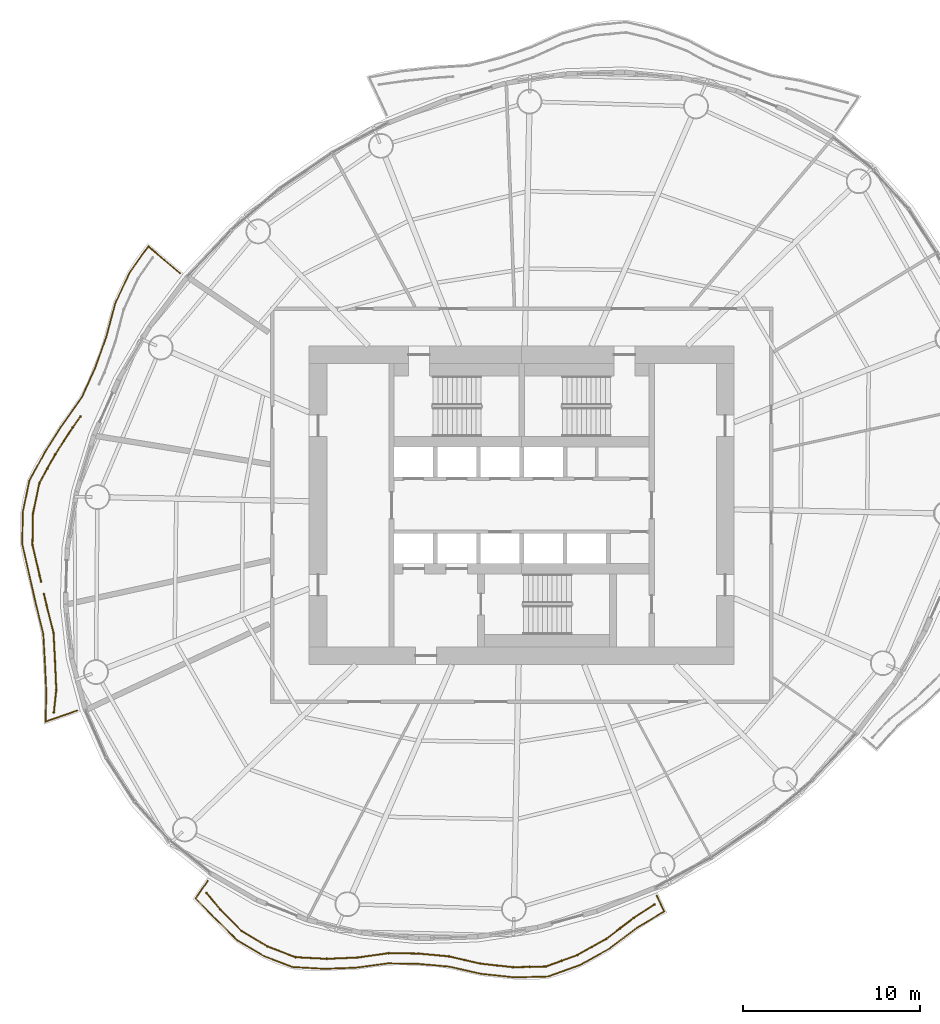
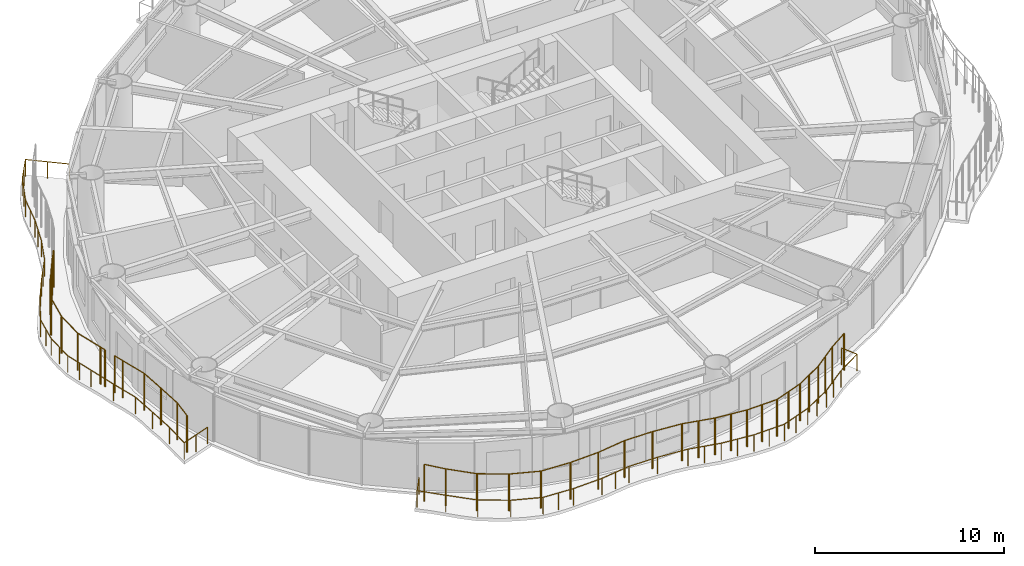
# One storey, part 12 of 15: 5 railings.
"""IFC4 building model written with IfcOpenShell, lengths in metres."""

import ifcopenshell
import ifcopenshell.guid

model = None  # the IFC model being written
_history = None  # IfcOwnerHistory: only IFC2X3 demands one
_inside = {}  # id of a spatial element -> (the spatial element, [elements in it])
_under = {}  # id of a project, library or spatial element -> (it, [spatial elements below it])
_declared = {}  # id of a project -> (the project, [libraries it declares])
_typed = {}  # id of a type object -> (the type object, [elements of that type])
_made_of = {}  # id of a material, layer set ... -> (it, [elements and type objects made of it])


def new_model(schema):
    """Start an empty IFC model of exactly this schema.

    Asked for "IFC4X3", IfcOpenShell would pick the latest addendum, in which some entities
    have other attributes; the version numbers below select the first issue.
    IFC2X3 requires an IfcOwnerHistory on every rooted entity: one is made here for all.
    """
    global model, _history
    if schema == "IFC4X3":
        model = ifcopenshell.file(schema_version=(4, 3, 0, 0))
    else:
        model = ifcopenshell.file(schema=schema)
    _inside.clear()
    _under.clear()
    _declared.clear()
    _typed.clear()
    _made_of.clear()
    _history = None
    if model.schema == "IFC2X3":
        org = make("IfcOrganization", Name="unknown")
        user = make(
            "IfcPersonAndOrganization",
            ThePerson=make("IfcPerson", FamilyName="unknown"),
            TheOrganization=org,
        )
        app = make(
            "IfcApplication",
            ApplicationDeveloper=org,
            Version="unknown",
            ApplicationFullName="unknown",
            ApplicationIdentifier="unknown",
        )
        _history = make(
            "IfcOwnerHistory",
            OwningUser=user,
            OwningApplication=app,
            ChangeAction="ADDED",
            CreationDate=0,
        )
    return model


def make(cls, **values):
    """One entity of the class cls with the attributes given. An attribute that is None is left unset."""
    return model.create_entity(
        cls, **{name: value for name, value in values.items() if value is not None}
    )


def rooted(cls, **values):
    """An entity with a GlobalId (a new one), such as an element, a storey or a relation."""
    return make(cls, GlobalId=ifcopenshell.guid.new(), OwnerHistory=_history, **values)


def si_unit(unit_type, name, prefix=None):
    """IfcSIUnit, for example si_unit("LENGTHUNIT", "METRE", prefix="MILLI")."""
    return make("IfcSIUnit", UnitType=unit_type, Prefix=prefix, Name=name)


def assignment(units):
    """IfcUnitAssignment: the units of a project."""
    return None if units is None else make("IfcUnitAssignment", Units=units)


def point(xyz):
    """IfcCartesianPoint."""
    return None if xyz is None else make("IfcCartesianPoint", Coordinates=xyz)


def direction(xyz):
    """IfcDirection."""
    return None if xyz is None else make("IfcDirection", DirectionRatios=xyz)


def frame(location, z_axis=None, x_axis=None):
    """IfcAxis2Placement3D, a coordinate frame: its origin and axes. An axis left out is left unset."""
    return make(
        "IfcAxis2Placement3D",
        Location=point(location),
        Axis=direction(z_axis),
        RefDirection=direction(x_axis),
    )


def frame_2d(location, x_axis=None):
    """IfcAxis2Placement2D, a coordinate frame in the plane: its origin and x axis."""
    return make(
        "IfcAxis2Placement2D", Location=point(location), RefDirection=direction(x_axis)
    )


def origin():
    """The frame at (0, 0, 0) with its axes left unset."""
    return frame((0.0, 0.0, 0.0))


def origin_2d():
    """The frame at (0, 0) in the plane with its x axis left unset."""
    return frame_2d((0.0, 0.0))


def place(relative_to, where):
    """IfcLocalPlacement: puts the frame where relative to a parent placement (None: the world)."""
    return make(
        "IfcLocalPlacement", PlacementRelTo=relative_to, RelativePlacement=where
    )


def context(
    kind, dimensions, precision=None, world=None, true_north=None, identifier=None
):
    """IfcGeometricRepresentationContext, for example the 3D "Model" context."""
    return make(
        "IfcGeometricRepresentationContext",
        ContextIdentifier=identifier,
        ContextType=kind,
        CoordinateSpaceDimension=dimensions,
        Precision=precision,
        WorldCoordinateSystem=world,
        TrueNorth=true_north,
    )


def subcontext(parent, identifier, kind, view, scale=None):
    """IfcGeometricRepresentationSubContext, for example "Body" below "Model"."""
    return make(
        "IfcGeometricRepresentationSubContext",
        ContextIdentifier=identifier,
        ContextType=kind,
        ParentContext=parent,
        TargetScale=scale,
        TargetView=view,
    )


def project(units=None, contexts=None):
    """IfcProject with its units and contexts."""
    return rooted(
        "IfcProject",
        Name="project",
        RepresentationContexts=contexts,
        UnitsInContext=assignment(units),
    )


def spatial(cls, under=None, at=None, **own):
    """A site, building, storey or space (cls), placed at a placement, below another one or the project."""
    s = rooted(cls, ObjectPlacement=at, **own)
    if under is not None:
        _under.setdefault(under.id(), (under, []))[1].append(s)
    return s


def profile(cls, at=None, kind="AREA", **sizes):
    """A parametric profile (cls). Its sizes go by their IFC names, for example OverallWidth=200.0."""
    return make(cls, ProfileType=kind, Position=at, **sizes)


def circle(**sizes):
    """IfcCircleProfileDef."""
    return profile("IfcCircleProfileDef", **sizes)


def extrude(swept, where, along, depth):
    """IfcExtrudedAreaSolid: the profile swept, set in the frame where, extruded along a direction by depth."""
    return make(
        "IfcExtrudedAreaSolid",
        SweptArea=swept,
        Position=where,
        ExtrudedDirection=direction(along),
        Depth=depth,
    )


def shape(context_of_items, identifier, shape_type, items):
    """IfcShapeRepresentation: the items that make up one representation, for example the "Body"."""
    return make(
        "IfcShapeRepresentation",
        ContextOfItems=context_of_items,
        RepresentationIdentifier=identifier,
        RepresentationType=shape_type,
        Items=items,
    )


def material(Name=None, Category=None):
    """IfcMaterial."""
    return make("IfcMaterial", Name=Name, Category=Category)


def made_of(thing, what):
    """Note that an element or type object is made of a material, layer set ...; save() writes the relation."""
    if what is not None:
        _made_of.setdefault(what.id(), (what, []))[1].append(thing)
    return thing


def type_object(cls, material=None, **own):
    """A type object (cls), such as IfcWallType, which elements share."""
    return made_of(rooted(cls, **own), material)


def element(
    cls,
    number,
    at=None,
    inside=None,
    cuts=None,
    type_object=None,
    material=None,
    context=None,
    identifier="Body",
    shape_type=None,
    held_by="IfcProductDefinitionShape",
    body=None,
    shapes=None,
    **own,
):
    """One element of the class cls, such as IfcWall. Its Tag is "e" and its number.

    at: its placement. inside: the storey or other place that contains it. cuts: it is an
    opening in that element (IfcRelVoidsElement). A single representation is given by context,
    identifier, shape_type and body (its items); several are given by shapes. held_by: the class
    of the entity that holds the representations. save() writes the other relations.
    """
    e = rooted(cls, Tag="e%d" % number, ObjectPlacement=at, **own)
    if body is not None:
        shapes = [shape(context, identifier, shape_type, body)]
    if shapes is not None:
        e.Representation = make(held_by, Representations=shapes)
    if inside is not None:
        _inside.setdefault(inside.id(), (inside, []))[1].append(e)
    if cuts is not None:
        rooted(
            "IfcRelVoidsElement", RelatingBuildingElement=cuts, RelatedOpeningElement=e
        )
    if type_object is not None:
        _typed.setdefault(type_object.id(), (type_object, []))[1].append(e)
    return made_of(e, material)


def aggregate(whole, parts):
    """IfcRelAggregates: a whole, such as a stair, and the parts it consists of."""
    return rooted("IfcRelAggregates", RelatingObject=whole, RelatedObjects=parts)


def save(model, path):
    """Write the relations noted so far, then the file.

    IfcRelAggregates (storeys below a building ...), IfcRelContainedInSpatialStructure (elements
    in a storey), IfcRelDefinesByType, IfcRelAssociatesMaterial and IfcRelDeclares: one each for
    every whole, place, type object, material and project.
    """
    for whole, parts in _under.values():
        aggregate(whole, parts)
    for where, things in _inside.values():
        rooted(
            "IfcRelContainedInSpatialStructure",
            RelatedElements=things,
            RelatingStructure=where,
        )
    for kind, things in _typed.values():
        rooted("IfcRelDefinesByType", RelatedObjects=things, RelatingType=kind)
    for what, things in _made_of.values():
        rooted("IfcRelAssociatesMaterial", RelatedObjects=things, RelatingMaterial=what)
    for by, libraries in _declared.values():
        rooted("IfcRelDeclares", RelatingContext=by, RelatedDefinitions=libraries)
    model.write(path)


model = new_model("IFC4")

# Units and contexts
model_context = context("Model", 3, precision=1e-05, world=origin(), true_north=direction((0.0, 1.0)))
body_context = subcontext(model_context, "Body", "Model", "MODEL_VIEW")
ifc_project = project(units=[si_unit("LENGTHUNIT", "METRE"), si_unit("AREAUNIT", "SQUARE_METRE"), si_unit("VOLUMEUNIT", "CUBIC_METRE"), si_unit("PLANEANGLEUNIT", "RADIAN"), si_unit("MASSUNIT", "GRAM", prefix="KILO")], contexts=[model_context])

# Site, building, storey
site_placement = place(None, origin())
site = spatial("IfcSite", under=ifc_project, at=site_placement, CompositionType="ELEMENT")
building_placement = place(site_placement, origin())
building = spatial("IfcBuilding", under=site, at=building_placement, Name="Vermilion Reach Broadcast Tower", CompositionType="ELEMENT")
storey_placement = place(building_placement, frame((0.0, 0.0, 183.0)))
storey = spatial("IfcBuildingStorey", under=building, at=storey_placement, Name="L44", CompositionType="ELEMENT", Elevation=183.0)

# Railings
ifc_material_1 = material(Name="Terracotta baguette", Category="masonry")
railing_type_1 = type_object("IfcRailingType", Name="BAGUETTE SCREEN", PredefinedType="USERDEFINED", material=ifc_material_1)
railing_1_placement = place(storey_placement, frame((-30.9208984375, 5.014892578125, 0.0)))
element("IfcRailing", 1, at=railing_1_placement, inside=storey, type_object=railing_type_1, Name="Baguette screen L44 group 2 part 2", ObjectType="BAGUETTE SCREEN", PredefinedType="USERDEFINED", context=body_context, shape_type="SweptSolid", body=[
    extrude(circle(Radius=0.030029296875, at=origin_2d()), frame((0.0, 0.0, 2.369873046875), z_axis=(-0.579821485078, -0.814743545812, 0.0), x_axis=(0.814743545812, -0.579821485078, 0.0)), (0.0, 0.0, 1.0), 0.750244140625),
    extrude(circle(Radius=0.030029296875, at=origin_2d()), frame((-0.43505859375, -0.611328125, 2.369873046875), z_axis=(-0.543128547753, -0.839649558218, 0.0), x_axis=(0.839649558218, -0.543128547753, 0.0)), (0.0, 0.0, 1.0), 1.814697265625),
    extrude(circle(Radius=0.030029296875, at=origin_2d()), frame((-1.420654296875, -2.135009765625, 2.369873046875), z_axis=(-0.484699168228, -0.874680922577, 0.0), x_axis=(0.874680922577, -0.484699168228, 0.0)), (0.0, 0.0, 1.0), 1.845458984375),
    extrude(circle(Radius=0.030029296875, at=origin_2d()), frame((-2.315185546875, -3.749267578125, 2.369873046875), z_axis=(-0.205612713638, -0.978633441075, 0.0), x_axis=(0.978633441075, -0.205612713638, 0.0)), (0.0, 0.0, 1.0), 1.76318359375),
    extrude(circle(Radius=0.030029296875, at=origin_2d()), frame((-2.677734375, -5.474853515625, 2.369873046875), z_axis=(-0.018023767743, -0.999837558705, 0.0), x_axis=(0.999837558705, -0.018023767743, 0.0)), (0.0, 0.0, 1.0), 1.7744140625),
    extrude(circle(Radius=0.030029296875, at=origin_2d()), frame((-2.709716796875, -7.2490234375, 2.369873046875), z_axis=(0.22920045807, -0.973379242649, 0.0), x_axis=(0.973379242649, 0.22920045807, 0.0)), (0.0, 0.0, 1.0), 1.7734375),
    extrude(circle(Radius=0.030029296875, at=origin_2d()), frame((-2.30322265625, -8.975341796875, 2.369873046875), z_axis=(0.226917718144, -0.973913933154, 0.0), x_axis=(0.973913933154, 0.226917718144, 0.0)), (0.0, 0.0, 1.0), 0.346435546875),
    extrude(circle(Radius=0.050048828125, at=origin_2d()), origin(), (0.0, 0.0, 1.0), 2.33984375),
    extrude(circle(Radius=0.050048828125, at=origin_2d()), frame((-0.43505859375, -0.611328125, 0.0)), (0.0, 0.0, 1.0), 2.33984375),
    extrude(circle(Radius=0.050048828125, at=origin_2d()), frame((-0.927734375, -1.373046875, 0.0)), (0.0, 0.0, 1.0), 2.33984375),
    extrude(circle(Radius=0.050048828125, at=origin_2d()), frame((-1.420654296875, -2.135009765625, 0.0)), (0.0, 0.0, 1.0), 2.33984375),
    extrude(circle(Radius=0.050048828125, at=origin_2d()), frame((-1.867919921875, -2.942138671875, 0.0)), (0.0, 0.0, 1.0), 2.33984375),
    extrude(circle(Radius=0.050048828125, at=origin_2d()), frame((-2.315185546875, -3.749267578125, 0.0)), (0.0, 0.0, 1.0), 2.33984375),
    extrude(circle(Radius=0.050048828125, at=origin_2d()), frame((-2.677734375, -5.474853515625, 0.0)), (0.0, 0.0, 1.0), 2.33984375),
    extrude(circle(Radius=0.050048828125, at=origin_2d()), frame((-2.709716796875, -7.2490234375, 0.0)), (0.0, 0.0, 1.0), 2.33984375),
    extrude(circle(Radius=0.050048828125, at=origin_2d()), frame((-2.30322265625, -8.975341796875, 0.0)), (0.0, 0.0, 1.0), 2.33984375),
    extrude(circle(Radius=0.050048828125, at=origin_2d()), frame((-2.224609375, -9.312744140625, 0.0)), (0.0, 0.0, 1.0), 2.33984375),
])
railing_2_placement = place(storey_placement, frame((-32.977783203125, -5.017822265625, 0.0)))
element("IfcRailing", 2, at=railing_2_placement, inside=storey, type_object=railing_type_1, Name="Baguette screen L44 group 2 part 3", ObjectType="BAGUETTE SCREEN", PredefinedType="USERDEFINED", context=body_context, shape_type="SweptSolid", body=[
    extrude(circle(Radius=0.030029296875, at=origin_2d()), frame((0.0, 0.0, 2.369873046875), z_axis=(0.226823027853, -0.973935990728, 0.0), x_axis=(0.973935990728, 0.226823027853, 0.0)), (0.0, 0.0, 1.0), 0.62646484375),
    extrude(circle(Radius=0.030029296875, at=origin_2d()), frame((0.14208984375, -0.610107421875, 2.369873046875), z_axis=(0.243592318983, -0.969877715041, 0.0), x_axis=(0.969877715041, 0.243592318983, 0.0)), (0.0, 0.0, 1.0), 1.630615234375),
    extrude(circle(Radius=0.030029296875, at=origin_2d()), frame((0.539306640625, -2.191650390625, 2.369873046875), z_axis=(0.053003943895, -0.998594302974, 0.0), x_axis=(0.998594302974, 0.053003943895, 0.0)), (0.0, 0.0, 1.0), 1.612060546875),
    extrude(circle(Radius=0.030029296875, at=origin_2d()), frame((0.624755859375, -3.801513671875, 2.369873046875), z_axis=(0.042781192886, -0.999084465666, 0.0), x_axis=(0.999084465666, 0.042781192886, 0.0)), (0.0, 0.0, 1.0), 1.614990234375),
    extrude(circle(Radius=0.030029296875, at=origin_2d()), frame((0.69384765625, -5.4150390625, 2.369873046875), z_axis=(-0.107619721282, -0.994192132131, 0.0), x_axis=(0.994192132131, -0.107619721282, 0.0)), (0.0, 0.0, 1.0), 1.277099609375),
    extrude(circle(Radius=0.050048828125, at=origin_2d()), origin(), (0.0, 0.0, 1.0), 2.33984375),
    extrude(circle(Radius=0.050048828125, at=origin_2d()), frame((0.14208984375, -0.610107421875, 0.0)), (0.0, 0.0, 1.0), 2.33984375),
    extrude(circle(Radius=0.050048828125, at=origin_2d()), frame((0.539306640625, -2.191650390625, 0.0)), (0.0, 0.0, 1.0), 2.33984375),
    extrude(circle(Radius=0.050048828125, at=origin_2d()), frame((0.624755859375, -3.801513671875, 0.0)), (0.0, 0.0, 1.0), 2.33984375),
    extrude(circle(Radius=0.050048828125, at=origin_2d()), frame((0.69384765625, -5.4150390625, 0.0)), (0.0, 0.0, 1.0), 2.33984375),
    extrude(circle(Radius=0.050048828125, at=origin_2d()), frame((0.556396484375, -6.684814453125, 0.0)), (0.0, 0.0, 1.0), 2.33984375),
])
railing_3_placement = place(storey_placement, frame((-23.800048828125, -21.887451171875, 0.0)))
element("IfcRailing", 3, at=railing_3_placement, inside=storey, type_object=railing_type_1, Name="Baguette screen L44 group 3", ObjectType="BAGUETTE SCREEN", PredefinedType="USERDEFINED", context=body_context, shape_type="SweptSolid", body=[
    extrude(circle(Radius=0.030029296875, at=origin_2d()), frame((0.0, 0.0, 2.369873046875), z_axis=(0.640382455234, -0.76805619002, 0.0), x_axis=(0.76805619002, 0.640382455234, 0.0)), (0.0, 0.0, 1.0), 1.21240234375),
    extrude(circle(Radius=0.030029296875, at=origin_2d()), frame((0.7763671875, -0.93115234375, 2.369873046875), z_axis=(0.704961230734, -0.709245841131, 0.0), x_axis=(0.709245841131, 0.704961230734, 0.0)), (0.0, 0.0, 1.0), 1.70947265625),
    extrude(circle(Radius=0.030029296875, at=origin_2d()), frame((1.9814453125, -2.1435546875, 2.369873046875), z_axis=(0.857606544123, -0.514306343998, 0.0), x_axis=(0.514306343998, 0.857606544123, 0.0)), (0.0, 0.0, 1.0), 1.7060546875),
    extrude(circle(Radius=0.030029296875, at=origin_2d()), frame((3.444580078125, -3.02099609375, 2.369873046875), z_axis=(0.933423475602, -0.358776553296, 0.0), x_axis=(0.358776553296, 0.933423475602, 0.0)), (0.0, 0.0, 1.0), 1.696533203125),
    extrude(circle(Radius=0.030029296875, at=origin_2d()), frame((5.028076171875, -3.629638671875, 2.369873046875), z_axis=(0.998674199669, -0.051476624952, 0.0), x_axis=(0.051476624952, 0.998674199669, 0.0)), (0.0, 0.0, 1.0), 1.764404296875),
    extrude(circle(Radius=0.030029296875, at=origin_2d()), frame((6.7900390625, -3.720458984375, 2.369873046875), z_axis=(0.999149045961, 0.041245411333, 0.0), x_axis=(-0.041245411333, 0.999149045961, 0.0)), (0.0, 0.0, 1.0), 1.740234375),
    extrude(circle(Radius=0.030029296875, at=origin_2d()), frame((8.52880859375, -3.648681640625, 2.369873046875), z_axis=(0.990120073223, 0.140222111668, 0.0), x_axis=(-0.140222111668, 0.990120073223, 0.0)), (0.0, 0.0, 1.0), 1.767333984375),
    extrude(circle(Radius=0.030029296875, at=origin_2d()), frame((10.278564453125, -3.40087890625, 2.369873046875), z_axis=(0.999903087278, -0.013921783376, 0.0), x_axis=(0.013921783376, 0.999903087278, 0.0)), (0.0, 0.0, 1.0), 1.68359375),
    extrude(circle(Radius=0.030029296875, at=origin_2d()), frame((11.9619140625, -3.42431640625, 2.369873046875), z_axis=(0.995938127585, -0.090040246679, 0.0), x_axis=(0.090040246679, 0.995938127585, 0.0)), (0.0, 0.0, 1.0), 1.732666015625),
    extrude(circle(Radius=0.030029296875, at=origin_2d()), frame((13.6875, -3.580322265625, 2.369873046875), z_axis=(0.974262134829, -0.225418039735, 0.0), x_axis=(0.225418039735, 0.974262134829, 0.0)), (0.0, 0.0, 1.0), 1.819580078125),
    extrude(circle(Radius=0.030029296875, at=origin_2d()), frame((15.460205078125, -3.990478515625, 2.369873046875), z_axis=(0.993942697005, -0.109899568106, 0.0), x_axis=(0.109899568106, 0.993942697005, 0.0)), (0.0, 0.0, 1.0), 1.86376953125),
    extrude(circle(Radius=0.030029296875, at=origin_2d()), frame((17.312744140625, -4.1953125, 2.369873046875), z_axis=(0.999728339098, 0.023307681246, 0.0), x_axis=(-0.023307681246, 0.999728339098, 0.0)), (0.0, 0.0, 1.0), 1.85400390625),
    extrude(circle(Radius=0.030029296875, at=origin_2d()), frame((19.166259765625, -4.152099609375, 2.369873046875), z_axis=(0.94028161804, 0.340397530509, 0.0), x_axis=(-0.340397530509, 0.94028161804, 0.0)), (0.0, 0.0, 1.0), 1.8798828125),
    extrude(circle(Radius=0.030029296875, at=origin_2d()), frame((20.933837890625, -3.51220703125, 2.369873046875), z_axis=(0.871999252725, 0.48950720449, 0.0), x_axis=(-0.48950720449, 0.871999252725, 0.0)), (0.0, 0.0, 1.0), 1.891357421875),
    extrude(circle(Radius=0.030029296875, at=origin_2d()), frame((22.5830078125, -2.58642578125, 2.369873046875), z_axis=(0.794561936899, 0.607183109474, 0.0), x_axis=(-0.607183109474, 0.794561936899, 0.0)), (0.0, 0.0, 1.0), 1.934814453125),
    extrude(circle(Radius=0.030029296875, at=origin_2d()), frame((24.120361328125, -1.41162109375, 2.369873046875), z_axis=(0.837286846002, 0.546763877293, 0.0), x_axis=(-0.546763877293, 0.837286846002, 0.0)), (0.0, 0.0, 1.0), 1.395751953125),
    extrude(circle(Radius=0.050048828125, at=origin_2d()), origin(), (0.0, 0.0, 1.0), 2.33984375),
    extrude(circle(Radius=0.050048828125, at=origin_2d()), frame((0.7763671875, -0.93115234375, 0.0)), (0.0, 0.0, 1.0), 2.33984375),
    extrude(circle(Radius=0.050048828125, at=origin_2d()), frame((1.9814453125, -2.1435546875, 0.0)), (0.0, 0.0, 1.0), 2.33984375),
    extrude(circle(Radius=0.050048828125, at=origin_2d()), frame((3.444580078125, -3.02099609375, 0.0)), (0.0, 0.0, 1.0), 2.33984375),
    extrude(circle(Radius=0.050048828125, at=origin_2d()), frame((5.028076171875, -3.629638671875, 0.0)), (0.0, 0.0, 1.0), 2.33984375),
    extrude(circle(Radius=0.050048828125, at=origin_2d()), frame((6.7900390625, -3.720458984375, 0.0)), (0.0, 0.0, 1.0), 2.33984375),
    extrude(circle(Radius=0.050048828125, at=origin_2d()), frame((8.52880859375, -3.648681640625, 0.0)), (0.0, 0.0, 1.0), 2.33984375),
    extrude(circle(Radius=0.050048828125, at=origin_2d()), frame((10.278564453125, -3.40087890625, 0.0)), (0.0, 0.0, 1.0), 2.33984375),
    extrude(circle(Radius=0.050048828125, at=origin_2d()), frame((11.9619140625, -3.42431640625, 0.0)), (0.0, 0.0, 1.0), 2.33984375),
    extrude(circle(Radius=0.050048828125, at=origin_2d()), frame((13.6875, -3.580322265625, 0.0)), (0.0, 0.0, 1.0), 2.33984375),
    extrude(circle(Radius=0.050048828125, at=origin_2d()), frame((14.57373046875, -3.785400390625, 0.0)), (0.0, 0.0, 1.0), 2.33984375),
    extrude(circle(Radius=0.050048828125, at=origin_2d()), frame((15.460205078125, -3.990478515625, 0.0)), (0.0, 0.0, 1.0), 2.33984375),
    extrude(circle(Radius=0.050048828125, at=origin_2d()), frame((16.386474609375, -4.0927734375, 0.0)), (0.0, 0.0, 1.0), 2.33984375),
    extrude(circle(Radius=0.050048828125, at=origin_2d()), frame((17.312744140625, -4.1953125, 0.0)), (0.0, 0.0, 1.0), 2.33984375),
    extrude(circle(Radius=0.050048828125, at=origin_2d()), frame((18.239501953125, -4.173828125, 0.0)), (0.0, 0.0, 1.0), 2.33984375),
    extrude(circle(Radius=0.050048828125, at=origin_2d()), frame((19.166259765625, -4.152099609375, 0.0)), (0.0, 0.0, 1.0), 2.33984375),
    extrude(circle(Radius=0.050048828125, at=origin_2d()), frame((20.050048828125, -3.83203125, 0.0)), (0.0, 0.0, 1.0), 2.33984375),
    extrude(circle(Radius=0.050048828125, at=origin_2d()), frame((20.933837890625, -3.51220703125, 0.0)), (0.0, 0.0, 1.0), 2.33984375),
    extrude(circle(Radius=0.050048828125, at=origin_2d()), frame((21.75830078125, -3.04931640625, 0.0)), (0.0, 0.0, 1.0), 2.33984375),
    extrude(circle(Radius=0.050048828125, at=origin_2d()), frame((22.5830078125, -2.58642578125, 0.0)), (0.0, 0.0, 1.0), 2.33984375),
    extrude(circle(Radius=0.050048828125, at=origin_2d()), frame((23.3515625, -1.9990234375, 0.0)), (0.0, 0.0, 1.0), 2.33984375),
    extrude(circle(Radius=0.050048828125, at=origin_2d()), frame((24.120361328125, -1.41162109375, 0.0)), (0.0, 0.0, 1.0), 2.33984375),
    extrude(circle(Radius=0.050048828125, at=origin_2d()), frame((25.2890625, -0.6484375, 0.0)), (0.0, 0.0, 1.0), 2.33984375),
])
ifc_material_2 = material(Name="Stainless steel 316 balustrade", Category="steel")
railing_type_2 = type_object("IfcRailingType", Name="Balcony guard 1100", PredefinedType="BALUSTRADE", material=ifc_material_2)
railing_4_placement = place(storey_placement, frame((-25.290771484375, 13.107421875, 0.0)))
element("IfcRailing", 4, at=railing_4_placement, inside=storey, type_object=railing_type_2, Name="Balcony guard L44 group 2", PredefinedType="BALUSTRADE", context=body_context, shape_type="SweptSolid", body=[
    extrude(circle(Radius=0.02490234375, at=origin_2d()), frame((0.0, 0.0, 1.0751953125), z_axis=(-0.764243540829, 0.644927755877, 0.0), x_axis=(-0.644927755877, -0.764243540829, 0.0)), (0.0, 0.0, 1.0), 2.35302734375),
    extrude(circle(Radius=0.02490234375, at=origin_2d()), frame((-1.79833984375, 1.517578125, 1.0751953125), z_axis=(-0.579984506953, -0.814627504872, 0.0), x_axis=(0.814627504872, -0.579984506953, 0.0)), (0.0, 0.0, 1.0), 1.80615234375),
    extrude(circle(Radius=0.02490234375, at=origin_2d()), frame((-2.845947265625, 0.046142578125, 1.0751953125), z_axis=(-0.421601273086, -0.906781322333, 0.0), x_axis=(0.906781322333, -0.421601273086, 0.0)), (0.0, 0.0, 1.0), 1.94677734375),
    extrude(circle(Radius=0.02490234375, at=origin_2d()), frame((-3.666748046875, -1.71923828125, 1.0751953125), z_axis=(-0.258201159445, -0.966091176474, 0.0), x_axis=(0.966091176474, -0.258201159445, 0.0)), (0.0, 0.0, 1.0), 1.94677734375),
    extrude(circle(Radius=0.02490234375, at=origin_2d()), frame((-4.16943359375, -3.60009765625, 1.0751953125), z_axis=(-0.338254988548, -0.941054495087, 0.0), x_axis=(0.941054495087, -0.338254988548, 0.0)), (0.0, 0.0, 1.0), 1.861328125),
    extrude(circle(Radius=0.02490234375, at=origin_2d()), frame((-4.799072265625, -5.351806640625, 1.0751953125), z_axis=(-0.413023299293, -0.91072045889, 0.0), x_axis=(0.91072045889, -0.413023299293, 0.0)), (0.0, 0.0, 1.0), 1.79345703125),
    extrude(circle(Radius=0.02490234375, at=origin_2d()), frame((-5.539794921875, -6.985107421875, 1.0751953125), z_axis=(-0.576037442397, -0.817423308303, 0.0), x_axis=(0.817423308303, -0.576037442397, 0.0)), (0.0, 0.0, 1.0), 1.85595703125),
    extrude(circle(Radius=0.02490234375, at=origin_2d()), frame((-6.60888671875, -8.502197265625, 1.0751953125), z_axis=(-0.539094909576, -0.842245022823, 0.0), x_axis=(0.842245022823, -0.539094909576, 0.0)), (0.0, 0.0, 1.0), 1.84912109375),
    extrude(circle(Radius=0.02490234375, at=origin_2d()), frame((-7.605712890625, -10.0595703125, 1.0751953125), z_axis=(-0.480678163995, -0.876897087838, 0.0), x_axis=(0.876897087838, -0.480678163995, 0.0)), (0.0, 0.0, 1.0), 1.8818359375),
    extrude(circle(Radius=0.02490234375, at=origin_2d()), frame((-8.51025390625, -11.709716796875, 1.0751953125), z_axis=(-0.205313315002, -0.978696297471, 0.0), x_axis=(0.978696297471, -0.205313315002, 0.0)), (0.0, 0.0, 1.0), 1.80029296875),
    extrude(circle(Radius=0.02490234375, at=origin_2d()), frame((-8.8798828125, -13.4716796875, 1.0751953125), z_axis=(-0.020464337287, -0.999790583522, 0.0), x_axis=(0.999790583522, -0.020464337287, 0.0)), (0.0, 0.0, 1.0), 1.8134765625),
    extrude(circle(Radius=0.02490234375, at=origin_2d()), frame((-8.9169921875, -15.28466796875, 1.0751953125), z_axis=(0.223106643693, -0.974794042626, 0.0), x_axis=(0.974794042626, 0.223106643693, 0.0)), (0.0, 0.0, 1.0), 1.81103515625),
    extrude(circle(Radius=0.02490234375, at=origin_2d()), frame((-8.512939453125, -17.050048828125, 1.0751953125), z_axis=(0.221633145594, -0.975130118894, 0.0), x_axis=(0.975130118894, 0.221633145594, 0.0)), (0.0, 0.0, 1.0), 1.752685546875),
    extrude(circle(Radius=0.02490234375, at=origin_2d()), frame((-8.12451171875, -18.759033203125, 1.0751953125), z_axis=(0.239578438058, -0.970877011788, 0.0), x_axis=(0.970877011788, 0.239578438058, 0.0)), (0.0, 0.0, 1.0), 1.671142578125),
    extrude(circle(Radius=0.02490234375, at=origin_2d()), frame((-7.72412109375, -20.381591796875, 1.0751953125), z_axis=(0.055461850117, -0.998460807033, 0.0), x_axis=(0.998460807033, 0.055461850117, 0.0)), (0.0, 0.0, 1.0), 1.655029296875),
    extrude(circle(Radius=0.02490234375, at=origin_2d()), frame((-7.63232421875, -22.0341796875, 1.0751953125), z_axis=(0.047572146984, -0.998867804482, 0.0), x_axis=(0.998867804482, 0.047572146984, 0.0)), (0.0, 0.0, 1.0), 1.65771484375),
    extrude(circle(Radius=0.02490234375, at=origin_2d()), frame((-7.553466796875, -23.68994140625, 1.0751953125), z_axis=(-0.023938065093, -0.999713443462, 0.0), x_axis=(0.999713443462, -0.023938065093, 0.0)), (0.0, 0.0, 1.0), 1.6318359375),
    extrude(circle(Radius=0.02490234375, at=origin_2d()), frame((-7.592529296875, -25.3212890625, 1.0751953125), z_axis=(0.943403494376, 0.331647172156, 0.0), x_axis=(-0.331647172156, 0.943403494376, 0.0)), (0.0, 0.0, 1.0), 1.894775390625),
    extrude(circle(Radius=0.02490234375, at=origin_2d()), origin(), (0.0, 0.0, 1.0), 1.050048828125),
    extrude(circle(Radius=0.02490234375, at=origin_2d()), frame((-0.899169921875, 0.7587890625, 0.0)), (0.0, 0.0, 1.0), 1.050048828125),
    extrude(circle(Radius=0.02490234375, at=origin_2d()), frame((-1.79833984375, 1.517578125, 0.0)), (0.0, 0.0, 1.0), 1.050048828125),
    extrude(circle(Radius=0.02490234375, at=origin_2d()), frame((-2.322265625, 0.78173828125, 0.0)), (0.0, 0.0, 1.0), 1.050048828125),
    extrude(circle(Radius=0.02490234375, at=origin_2d()), frame((-2.845947265625, 0.046142578125, 0.0)), (0.0, 0.0, 1.0), 1.050048828125),
    extrude(circle(Radius=0.02490234375, at=origin_2d()), frame((-3.25634765625, -0.83642578125, 0.0)), (0.0, 0.0, 1.0), 1.050048828125),
    extrude(circle(Radius=0.02490234375, at=origin_2d()), frame((-3.666748046875, -1.71923828125, 0.0)), (0.0, 0.0, 1.0), 1.050048828125),
    extrude(circle(Radius=0.02490234375, at=origin_2d()), frame((-3.91796875, -2.65966796875, 0.0)), (0.0, 0.0, 1.0), 1.050048828125),
    extrude(circle(Radius=0.02490234375, at=origin_2d()), frame((-4.16943359375, -3.60009765625, 0.0)), (0.0, 0.0, 1.0), 1.050048828125),
    extrude(circle(Radius=0.02490234375, at=origin_2d()), frame((-4.484375, -4.47607421875, 0.0)), (0.0, 0.0, 1.0), 1.050048828125),
    extrude(circle(Radius=0.02490234375, at=origin_2d()), frame((-4.799072265625, -5.351806640625, 0.0)), (0.0, 0.0, 1.0), 1.050048828125),
    extrude(circle(Radius=0.02490234375, at=origin_2d()), frame((-5.539794921875, -6.985107421875, 0.0)), (0.0, 0.0, 1.0), 1.050048828125),
    extrude(circle(Radius=0.02490234375, at=origin_2d()), frame((-6.07421875, -7.74365234375, 0.0)), (0.0, 0.0, 1.0), 1.050048828125),
    extrude(circle(Radius=0.02490234375, at=origin_2d()), frame((-6.60888671875, -8.502197265625, 0.0)), (0.0, 0.0, 1.0), 1.050048828125),
    extrude(circle(Radius=0.02490234375, at=origin_2d()), frame((-7.107421875, -9.28076171875, 0.0)), (0.0, 0.0, 1.0), 1.050048828125),
    extrude(circle(Radius=0.02490234375, at=origin_2d()), frame((-7.605712890625, -10.0595703125, 0.0)), (0.0, 0.0, 1.0), 1.050048828125),
    extrude(circle(Radius=0.02490234375, at=origin_2d()), frame((-8.05810546875, -10.884765625, 0.0)), (0.0, 0.0, 1.0), 1.050048828125),
    extrude(circle(Radius=0.02490234375, at=origin_2d()), frame((-8.51025390625, -11.709716796875, 0.0)), (0.0, 0.0, 1.0), 1.050048828125),
    extrude(circle(Radius=0.02490234375, at=origin_2d()), frame((-8.695068359375, -12.5908203125, 0.0)), (0.0, 0.0, 1.0), 1.050048828125),
    extrude(circle(Radius=0.02490234375, at=origin_2d()), frame((-8.8798828125, -13.4716796875, 0.0)), (0.0, 0.0, 1.0), 1.050048828125),
    extrude(circle(Radius=0.02490234375, at=origin_2d()), frame((-8.8984375, -14.378173828125, 0.0)), (0.0, 0.0, 1.0), 1.050048828125),
    extrude(circle(Radius=0.02490234375, at=origin_2d()), frame((-8.9169921875, -15.28466796875, 0.0)), (0.0, 0.0, 1.0), 1.050048828125),
    extrude(circle(Radius=0.02490234375, at=origin_2d()), frame((-8.71484375, -16.16748046875, 0.0)), (0.0, 0.0, 1.0), 1.050048828125),
    extrude(circle(Radius=0.02490234375, at=origin_2d()), frame((-8.512939453125, -17.050048828125, 0.0)), (0.0, 0.0, 1.0), 1.050048828125),
    extrude(circle(Radius=0.02490234375, at=origin_2d()), frame((-8.12451171875, -18.759033203125, 0.0)), (0.0, 0.0, 1.0), 1.050048828125),
    extrude(circle(Radius=0.02490234375, at=origin_2d()), frame((-7.72412109375, -20.381591796875, 0.0)), (0.0, 0.0, 1.0), 1.050048828125),
    extrude(circle(Radius=0.02490234375, at=origin_2d()), frame((-7.63232421875, -22.0341796875, 0.0)), (0.0, 0.0, 1.0), 1.050048828125),
    extrude(circle(Radius=0.02490234375, at=origin_2d()), frame((-7.553466796875, -23.68994140625, 0.0)), (0.0, 0.0, 1.0), 1.050048828125),
    extrude(circle(Radius=0.02490234375, at=origin_2d()), frame((-7.592529296875, -25.3212890625, 0.0)), (0.0, 0.0, 1.0), 1.050048828125),
    extrude(circle(Radius=0.02490234375, at=origin_2d()), frame((-6.69873046875, -25.007080078125, 0.0)), (0.0, 0.0, 1.0), 1.050048828125),
    extrude(circle(Radius=0.02490234375, at=origin_2d()), frame((-5.804931640625, -24.69287109375, 0.0)), (0.0, 0.0, 1.0), 1.050048828125),
])
railing_5_placement = place(storey_placement, frame((-23.730224609375, -21.204833984375, 0.0)))
element("IfcRailing", 5, at=railing_5_placement, inside=storey, type_object=railing_type_2, Name="Balcony guard L44 group 3", PredefinedType="BALUSTRADE", context=body_context, shape_type="SweptSolid", body=[
    extrude(circle(Radius=0.02490234375, at=origin_2d()), frame((0.0, 0.0, 1.0751953125), z_axis=(-0.566262815654, -0.824224740958, 0.0), x_axis=(0.824224740958, -0.566262815654, 0.0)), (0.0, 0.0, 1.0), 1.20751953125),
    extrude(circle(Radius=0.02490234375, at=origin_2d()), frame((-0.683837890625, -0.995361328125, 1.0751953125), z_axis=(0.700545450738, -0.713607785447, 0.0), x_axis=(0.713607785447, 0.700545450738, 0.0)), (0.0, 0.0, 1.0), 1.570068359375),
    extrude(circle(Radius=0.02490234375, at=origin_2d()), frame((0.416015625, -2.11572265625, 1.0751953125), z_axis=(0.710098092323, -0.704102761875, 0.0), x_axis=(0.704102761875, 0.710098092323, 0.0)), (0.0, 0.0, 1.0), 1.7509765625),
    extrude(circle(Radius=0.02490234375, at=origin_2d()), frame((1.659423828125, -3.3486328125, 1.0751953125), z_axis=(0.859273891814, -0.51151576598, 0.0), x_axis=(0.51151576598, 0.859273891814, 0.0)), (0.0, 0.0, 1.0), 1.748779296875),
    extrude(circle(Radius=0.02490234375, at=origin_2d()), frame((3.162109375, -4.2431640625, 1.0751953125), z_axis=(0.933616922528, -0.358272859661, 0.0), x_axis=(0.358272859661, 0.933616922528, 0.0)), (0.0, 0.0, 1.0), 1.737548828125),
    extrude(circle(Radius=0.02490234375, at=origin_2d()), frame((4.784423828125, -4.86572265625, 1.0751953125), z_axis=(0.998415068504, -0.056279223374, 0.0), x_axis=(0.056279223374, 0.998415068504, 0.0)), (0.0, 0.0, 1.0), 1.8046875),
    extrude(circle(Radius=0.02490234375, at=origin_2d()), frame((6.586181640625, -4.96728515625, 1.0751953125), z_axis=(0.999352846348, 0.035970661594, 0.0), x_axis=(-0.035970661594, 0.999352846348, 0.0)), (0.0, 0.0, 1.0), 1.7783203125),
    extrude(circle(Radius=0.02490234375, at=origin_2d()), frame((8.36328125, -4.9033203125, 1.0751953125), z_axis=(0.990922929818, 0.134431198613, 0.0), x_axis=(-0.134431198613, 0.990922929818, 0.0)), (0.0, 0.0, 1.0), 1.80517578125),
    extrude(circle(Radius=0.02490234375, at=origin_2d()), frame((10.152099609375, -4.66064453125, 1.0751953125), z_axis=(0.999886858288, -0.01504229449, 0.0), x_axis=(0.01504229449, 0.999886858288, 0.0)), (0.0, 0.0, 1.0), 1.720458984375),
    extrude(circle(Radius=0.02490234375, at=origin_2d()), frame((11.872314453125, -4.6865234375, 1.0751953125), z_axis=(0.996095317025, -0.088284310053, 0.0), x_axis=(0.088284310053, 0.996095317025, 0.0)), (0.0, 0.0, 1.0), 1.769775390625),
    extrude(circle(Radius=0.02490234375, at=origin_2d()), frame((13.63525390625, -4.8427734375, 1.0751953125), z_axis=(0.975506687436, -0.21996977694, 0.0), x_axis=(0.21996977694, 0.975506687436, 0.0)), (0.0, 0.0, 1.0), 1.853515625),
    extrude(circle(Radius=0.02490234375, at=origin_2d()), frame((15.443359375, -5.25048828125, 1.0751953125), z_axis=(0.994394957016, -0.105729227094, 0.0), x_axis=(0.105729227094, 0.994394957016, 0.0)), (0.0, 0.0, 1.0), 1.898193359375),
    extrude(circle(Radius=0.02490234375, at=origin_2d()), frame((17.330810546875, -5.451171875, 1.0751953125), z_axis=(0.999658735277, 0.026123035514, 0.0), x_axis=(-0.026123035514, 0.999658735277, 0.0)), (0.0, 0.0, 1.0), 1.887939453125),
    extrude(circle(Radius=0.02490234375, at=origin_2d()), frame((19.218017578125, -5.40185546875, 1.0751953125), z_axis=(0.940913434906, 0.338647173344, 0.0), x_axis=(-0.338647173344, 0.940913434906, 0.0)), (0.0, 0.0, 1.0), 1.913330078125),
    extrude(circle(Radius=0.02490234375, at=origin_2d()), frame((21.018310546875, -4.75390625, 1.0751953125), z_axis=(0.873803789132, 0.48627866301, 0.0), x_axis=(-0.48627866301, 0.873803789132, 0.0)), (0.0, 0.0, 1.0), 1.92333984375),
    extrude(circle(Radius=0.02490234375, at=origin_2d()), frame((22.698974609375, -3.818603515625, 1.0751953125), z_axis=(0.797459675027, 0.603372245555, 0.0), x_axis=(-0.603372245555, 0.797459675027, 0.0)), (0.0, 0.0, 1.0), 1.966064453125),
    extrude(circle(Radius=0.02490234375, at=origin_2d()), frame((24.266845703125, -2.63232421875, 1.0751953125), z_axis=(0.8584503972, 0.512896593425, 0.0), x_axis=(-0.512896593425, 0.8584503972, 0.0)), (0.0, 0.0, 1.0), 1.752197265625),
    extrude(circle(Radius=0.02490234375, at=origin_2d()), frame((25.77099609375, -1.733642578125, 1.0751953125), z_axis=(-0.423277028935, 0.906000307271, 0.0), x_axis=(-0.906000307271, -0.423277028935, 0.0)), (0.0, 0.0, 1.0), 0.98974609375),
    extrude(circle(Radius=0.02490234375, at=origin_2d()), origin(), (0.0, 0.0, 1.0), 1.050048828125),
    extrude(circle(Radius=0.02490234375, at=origin_2d()), frame((-0.683837890625, -0.995361328125, 0.0)), (0.0, 0.0, 1.0), 1.050048828125),
    extrude(circle(Radius=0.02490234375, at=origin_2d()), frame((0.416015625, -2.11572265625, 0.0)), (0.0, 0.0, 1.0), 1.050048828125),
    extrude(circle(Radius=0.02490234375, at=origin_2d()), frame((1.659423828125, -3.3486328125, 0.0)), (0.0, 0.0, 1.0), 1.050048828125),
    extrude(circle(Radius=0.02490234375, at=origin_2d()), frame((3.162109375, -4.2431640625, 0.0)), (0.0, 0.0, 1.0), 1.050048828125),
    extrude(circle(Radius=0.02490234375, at=origin_2d()), frame((4.784423828125, -4.86572265625, 0.0)), (0.0, 0.0, 1.0), 1.050048828125),
    extrude(circle(Radius=0.02490234375, at=origin_2d()), frame((5.685302734375, -4.91650390625, 0.0)), (0.0, 0.0, 1.0), 1.050048828125),
    extrude(circle(Radius=0.02490234375, at=origin_2d()), frame((6.586181640625, -4.96728515625, 0.0)), (0.0, 0.0, 1.0), 1.050048828125),
    extrude(circle(Radius=0.02490234375, at=origin_2d()), frame((8.36328125, -4.9033203125, 0.0)), (0.0, 0.0, 1.0), 1.050048828125),
    extrude(circle(Radius=0.02490234375, at=origin_2d()), frame((9.2578125, -4.781982421875, 0.0)), (0.0, 0.0, 1.0), 1.050048828125),
    extrude(circle(Radius=0.02490234375, at=origin_2d()), frame((10.152099609375, -4.66064453125, 0.0)), (0.0, 0.0, 1.0), 1.050048828125),
    extrude(circle(Radius=0.02490234375, at=origin_2d()), frame((11.872314453125, -4.6865234375, 0.0)), (0.0, 0.0, 1.0), 1.050048828125),
    extrude(circle(Radius=0.02490234375, at=origin_2d()), frame((13.63525390625, -4.8427734375, 0.0)), (0.0, 0.0, 1.0), 1.050048828125),
    extrude(circle(Radius=0.02490234375, at=origin_2d()), frame((14.539306640625, -5.046630859375, 0.0)), (0.0, 0.0, 1.0), 1.050048828125),
    extrude(circle(Radius=0.02490234375, at=origin_2d()), frame((15.443359375, -5.25048828125, 0.0)), (0.0, 0.0, 1.0), 1.050048828125),
    extrude(circle(Radius=0.02490234375, at=origin_2d()), frame((16.38720703125, -5.350830078125, 0.0)), (0.0, 0.0, 1.0), 1.050048828125),
    extrude(circle(Radius=0.02490234375, at=origin_2d()), frame((17.330810546875, -5.451171875, 0.0)), (0.0, 0.0, 1.0), 1.050048828125),
    extrude(circle(Radius=0.02490234375, at=origin_2d()), frame((18.2744140625, -5.426513671875, 0.0)), (0.0, 0.0, 1.0), 1.050048828125),
    extrude(circle(Radius=0.02490234375, at=origin_2d()), frame((19.218017578125, -5.40185546875, 0.0)), (0.0, 0.0, 1.0), 1.050048828125),
    extrude(circle(Radius=0.02490234375, at=origin_2d()), frame((20.1181640625, -5.077880859375, 0.0)), (0.0, 0.0, 1.0), 1.050048828125),
    extrude(circle(Radius=0.02490234375, at=origin_2d()), frame((21.018310546875, -4.75390625, 0.0)), (0.0, 0.0, 1.0), 1.050048828125),
    extrude(circle(Radius=0.02490234375, at=origin_2d()), frame((21.858642578125, -4.2861328125, 0.0)), (0.0, 0.0, 1.0), 1.050048828125),
    extrude(circle(Radius=0.02490234375, at=origin_2d()), frame((22.698974609375, -3.818603515625, 0.0)), (0.0, 0.0, 1.0), 1.050048828125),
    extrude(circle(Radius=0.02490234375, at=origin_2d()), frame((23.48291015625, -3.2255859375, 0.0)), (0.0, 0.0, 1.0), 1.050048828125),
    extrude(circle(Radius=0.02490234375, at=origin_2d()), frame((24.266845703125, -2.63232421875, 0.0)), (0.0, 0.0, 1.0), 1.050048828125),
    extrude(circle(Radius=0.02490234375, at=origin_2d()), frame((25.77099609375, -1.733642578125, 0.0)), (0.0, 0.0, 1.0), 1.050048828125),
    extrude(circle(Radius=0.02490234375, at=origin_2d()), frame((25.35205078125, -0.8369140625, 0.0)), (0.0, 0.0, 1.0), 1.050048828125),
])

save(model, "model.ifc")
